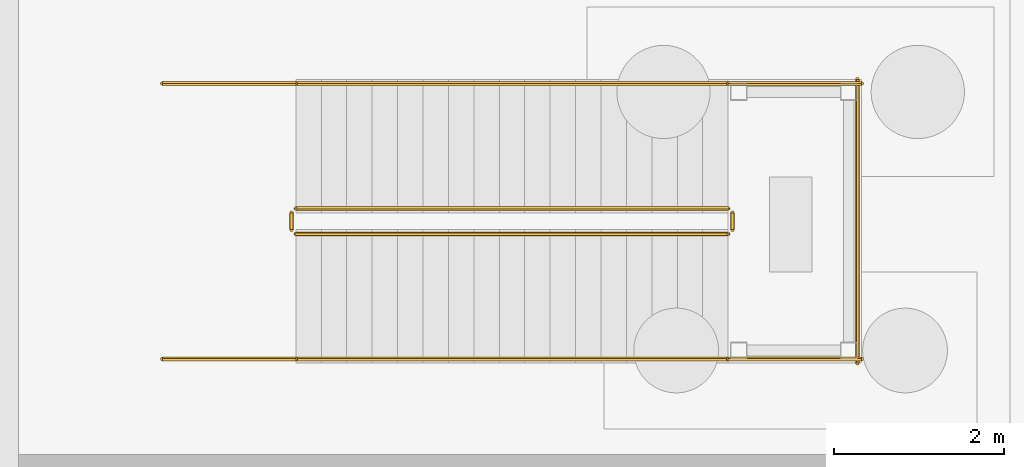
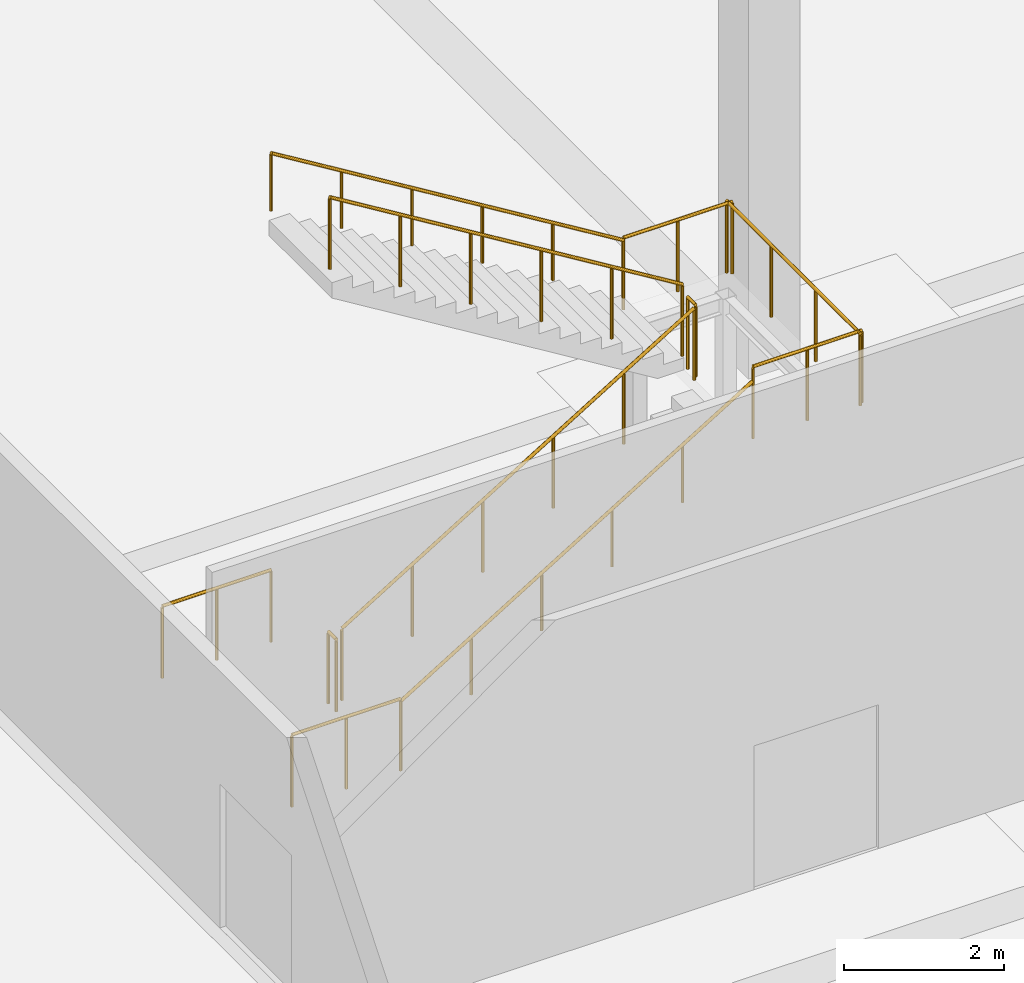
# One storey, part 103 of 117: 11 railings.
"""IFC4 building model written with IfcOpenShell, lengths in metres."""

from ifc_helpers import new_model, si_unit, direction, frame, origin, origin_2d, place, context, subcontext, project, spatial, circle, extrude, material, type_object, element, save


model = new_model("IFC4")

# Units and contexts
model_context = context("Model", 3, precision=1e-05, world=origin(), true_north=direction((0.0, 1.0)))
body_context = subcontext(model_context, "Body", "Model", "MODEL_VIEW")
ifc_project = project(units=[si_unit("LENGTHUNIT", "METRE"), si_unit("AREAUNIT", "SQUARE_METRE"), si_unit("VOLUMEUNIT", "CUBIC_METRE"), si_unit("PLANEANGLEUNIT", "RADIAN"), si_unit("MASSUNIT", "GRAM", prefix="KILO")], contexts=[model_context])

# Site, building, storey
site_placement = place(None, origin())
site = spatial("IfcSite", under=ifc_project, at=site_placement, CompositionType="ELEMENT")
building_placement = place(site_placement, origin())
building = spatial("IfcBuilding", under=site, at=building_placement, Name="Kamomehara Wholesale Market", CompositionType="ELEMENT")
storey_placement = place(building_placement, origin())
storey = spatial("IfcBuildingStorey", under=building, at=storey_placement, Name="L00", CompositionType="ELEMENT", Elevation=0.0)

# Railings
ifc_material_1 = material(Name="Steel SN400B", Category="steel")
railing_type_1 = type_object("IfcRailingType", Name="RAL-HND-900", PredefinedType="HANDRAIL", material=ifc_material_1)
railing_1_placement = place(storey_placement, frame((63.574951171875, 42.39990234375, 0.183349609375)))
element("IfcRailing", 1, at=railing_1_placement, inside=storey, type_object=railing_type_1, Name="L00 ST-16 stair handrail 1", PredefinedType="HANDRAIL", context=body_context, shape_type="SweptSolid", body=[
    extrude(circle(Radius=0.02392578125, at=origin_2d()), frame((0.0, 0.0, 0.8759765625), z_axis=(0.853283853024, 0.0, 0.521446705012), x_axis=(0.0, 1.0, 0.0)), (0.0, 0.0, 1.0), 5.97705078125),
    extrude(circle(Radius=0.02099609375, at=origin_2d()), origin(), (0.0, 0.0, 1.0), 0.851806640625),
    extrude(circle(Radius=0.02099609375, at=origin_2d()), frame((1.02001953125, 0.0, 0.623291015625)), (0.0, 0.0, 1.0), 0.851806640625),
    extrude(circle(Radius=0.02099609375, at=origin_2d()), frame((2.0400390625, 0.0, 1.24658203125)), (0.0, 0.0, 1.0), 0.851806640625),
    extrude(circle(Radius=0.02099609375, at=origin_2d()), frame((3.06005859375, 0.0, 1.8701171875)), (0.0, 0.0, 1.0), 0.851806640625),
    extrude(circle(Radius=0.02099609375, at=origin_2d()), frame((4.080078125, 0.0, 2.493408203125)), (0.0, 0.0, 1.0), 0.851806640625),
    extrude(circle(Radius=0.02099609375, at=origin_2d()), frame((5.10009765625, 0.0, 3.11669921875)), (0.0, 0.0, 1.0), 0.851806640625),
])
railing_2_placement = place(storey_placement, frame((68.675048828125, 45.64990234375, 3.4833984375)))
element("IfcRailing", 2, at=railing_2_placement, inside=storey, type_object=railing_type_1, Name="L00 ST-16 stair handrail 2", PredefinedType="HANDRAIL", context=body_context, shape_type="SweptSolid", body=[
    extrude(circle(Radius=0.02392578125, at=origin_2d()), frame((0.0, 0.0, 0.8759765625), z_axis=(-0.853283853024, 0.0, 0.521446705012), x_axis=(0.0, -1.0, 0.0)), (0.0, 0.0, 1.0), 5.97705078125),
    extrude(circle(Radius=0.02099609375, at=origin_2d()), origin(), (0.0, 0.0, 1.0), 0.851806640625),
    extrude(circle(Radius=0.02099609375, at=origin_2d()), frame((-1.02001953125, 0.0, 0.623291015625)), (0.0, 0.0, 1.0), 0.851806640625),
    extrude(circle(Radius=0.02099609375, at=origin_2d()), frame((-2.0400390625, 0.0, 1.24658203125)), (0.0, 0.0, 1.0), 0.851806640625),
    extrude(circle(Radius=0.02099609375, at=origin_2d()), frame((-3.06005859375, 0.0, 1.8701171875)), (0.0, 0.0, 1.0), 0.851806640625),
    extrude(circle(Radius=0.02099609375, at=origin_2d()), frame((-4.080078125, 0.0, 2.493408203125)), (0.0, 0.0, 1.0), 0.851806640625),
    extrude(circle(Radius=0.02099609375, at=origin_2d()), frame((-5.10009765625, 0.0, 3.11669921875)), (0.0, 0.0, 1.0), 0.851806640625),
])
ifc_material_2 = material(Name="Steel SN400B", Category="steel")
railing_type_2 = type_object("IfcRailingType", Name="RAL-INT-1100", PredefinedType="BALUSTRADE", material=ifc_material_2)
railing_3_placement = place(storey_placement, frame((63.574951171875, 43.875, 0.183349609375)))
element("IfcRailing", 3, at=railing_3_placement, inside=storey, type_object=railing_type_2, Name="L00 ST-16 stair guard 1", PredefinedType="BALUSTRADE", context=body_context, shape_type="SweptSolid", body=[
    extrude(circle(Radius=0.02392578125, at=origin_2d()), frame((0.0, 0.0, 1.09619140625), z_axis=(0.853283853024, 0.0, 0.521446705012), x_axis=(0.0, 1.0, 0.0)), (0.0, 0.0, 1.0), 5.97705078125),
    extrude(circle(Radius=0.02099609375, at=origin_2d()), origin(), (0.0, 0.0, 1.0), 1.072021484375),
    extrude(circle(Radius=0.02099609375, at=origin_2d()), frame((1.02001953125, 0.0, 0.623291015625)), (0.0, 0.0, 1.0), 1.072021484375),
    extrude(circle(Radius=0.02099609375, at=origin_2d()), frame((2.0400390625, 0.0, 1.24658203125)), (0.0, 0.0, 1.0), 1.072021484375),
    extrude(circle(Radius=0.02099609375, at=origin_2d()), frame((3.06005859375, 0.0, 1.8701171875)), (0.0, 0.0, 1.0), 1.072021484375),
    extrude(circle(Radius=0.02099609375, at=origin_2d()), frame((4.080078125, 0.0, 2.493408203125)), (0.0, 0.0, 1.0), 1.072021484375),
    extrude(circle(Radius=0.02099609375, at=origin_2d()), frame((5.10009765625, 0.0, 3.11669921875)), (0.0, 0.0, 1.0), 1.072021484375),
])
railing_4_placement = place(storey_placement, frame((68.72509765625, 43.925048828125, 3.300048828125)))
element("IfcRailing", 4, at=railing_4_placement, inside=storey, type_object=railing_type_2, Name="L00 ST-16 stair guard 2", PredefinedType="BALUSTRADE", context=body_context, shape_type="SweptSolid", body=[
    extrude(circle(Radius=0.02392578125, at=origin_2d()), frame((0.0, 0.0, 1.09619140625), z_axis=(0.0, 1.0, 0.0), x_axis=(-1.0, 0.0, 0.0)), (0.0, 0.0, 1.0), 0.199951171875),
    extrude(circle(Radius=0.02099609375, at=origin_2d()), origin(), (0.0, 0.0, 1.0), 1.072021484375),
    extrude(circle(Radius=0.02099609375, at=origin_2d()), frame((0.0, 0.199951171875, 0.0)), (0.0, 0.0, 1.0), 1.072021484375),
])
for number, where, name in (
    (5, (68.675048828125, 42.39990234375, 3.300048828125), "L00 ST-16 stair guard 3"),
    (6, (68.675048828125, 45.64990234375, 3.300048828125), "L00 ST-16 stair guard 4"),
):
    element("IfcRailing", number, at=place(storey_placement, frame(where)), inside=storey, type_object=railing_type_2, Name=name, PredefinedType="BALUSTRADE", context=body_context, shape_type="SweptSolid", body=[
        extrude(circle(Radius=0.02392578125, at=origin_2d()), frame((0.0, 0.0, 1.09619140625), z_axis=(1.0, 0.0, 0.0), x_axis=(0.0, 1.0, 0.0)), (0.0, 0.0, 1.0), 1.574951171875),
        extrude(circle(Radius=0.02099609375, at=origin_2d()), origin(), (0.0, 0.0, 1.0), 1.072021484375),
        extrude(circle(Radius=0.02099609375, at=origin_2d()), frame((0.78759765625, 0.0, 0.0)), (0.0, 0.0, 1.0), 1.072021484375),
        extrude(circle(Radius=0.02099609375, at=origin_2d()), frame((1.574951171875, 0.0, 0.0)), (0.0, 0.0, 1.0), 1.072021484375),
    ])
railing_5_placement = place(storey_placement, frame((70.199951171875, 42.35009765625, 3.300048828125)))
element("IfcRailing", 7, at=railing_5_placement, inside=storey, type_object=railing_type_2, Name="L00 ST-16 stair guard 5", PredefinedType="BALUSTRADE", context=body_context, shape_type="SweptSolid", body=[
    extrude(circle(Radius=0.02392578125, at=origin_2d()), frame((0.0, 0.0, 1.09619140625), z_axis=(0.0, 1.0, 0.0), x_axis=(-1.0, 0.0, 0.0)), (0.0, 0.0, 1.0), 3.349853515625),
    extrude(circle(Radius=0.02099609375, at=origin_2d()), origin(), (0.0, 0.0, 1.0), 1.072021484375),
    extrude(circle(Radius=0.02099609375, at=origin_2d()), frame((0.0, 1.11669921875, 0.0)), (0.0, 0.0, 1.0), 1.072021484375),
    extrude(circle(Radius=0.02099609375, at=origin_2d()), frame((0.0, 2.233154296875, 0.0)), (0.0, 0.0, 1.0), 1.072021484375),
    extrude(circle(Radius=0.02099609375, at=origin_2d()), frame((0.0, 3.349853515625, 0.0)), (0.0, 0.0, 1.0), 1.072021484375),
])
railing_6_placement = place(storey_placement, frame((68.675048828125, 44.175048828125, 3.4833984375)))
element("IfcRailing", 8, at=railing_6_placement, inside=storey, type_object=railing_type_2, Name="L00 ST-16 stair guard 6", PredefinedType="BALUSTRADE", context=body_context, shape_type="SweptSolid", body=[
    extrude(circle(Radius=0.02392578125, at=origin_2d()), frame((0.0, 0.0, 1.09619140625), z_axis=(-0.853283853024, 0.0, 0.521446705012), x_axis=(0.0, -1.0, 0.0)), (0.0, 0.0, 1.0), 5.97705078125),
    extrude(circle(Radius=0.02099609375, at=origin_2d()), origin(), (0.0, 0.0, 1.0), 1.072021484375),
    extrude(circle(Radius=0.02099609375, at=origin_2d()), frame((-1.02001953125, 0.0, 0.623291015625)), (0.0, 0.0, 1.0), 1.072021484375),
    extrude(circle(Radius=0.02099609375, at=origin_2d()), frame((-2.0400390625, 0.0, 1.24658203125)), (0.0, 0.0, 1.0), 1.072021484375),
    extrude(circle(Radius=0.02099609375, at=origin_2d()), frame((-3.06005859375, 0.0, 1.8701171875)), (0.0, 0.0, 1.0), 1.072021484375),
    extrude(circle(Radius=0.02099609375, at=origin_2d()), frame((-4.080078125, 0.0, 2.493408203125)), (0.0, 0.0, 1.0), 1.072021484375),
    extrude(circle(Radius=0.02099609375, at=origin_2d()), frame((-5.10009765625, 0.0, 3.11669921875)), (0.0, 0.0, 1.0), 1.072021484375),
])
railing_7_placement = place(storey_placement, frame((63.52490234375, 43.925048828125, 0.0)))
element("IfcRailing", 9, at=railing_7_placement, inside=storey, type_object=railing_type_2, Name="L00 ST-16 stair guard 7", PredefinedType="BALUSTRADE", context=body_context, shape_type="SweptSolid", body=[
    extrude(circle(Radius=0.02392578125, at=origin_2d()), frame((0.0, 0.0, 1.09619140625), z_axis=(0.0, 1.0, 0.0), x_axis=(-1.0, 0.0, 0.0)), (0.0, 0.0, 1.0), 0.199951171875),
    extrude(circle(Radius=0.02099609375, at=origin_2d()), origin(), (0.0, 0.0, 1.0), 1.072021484375),
    extrude(circle(Radius=0.02099609375, at=origin_2d()), frame((0.0, 0.199951171875, 0.0)), (0.0, 0.0, 1.0), 1.072021484375),
])
for number, where, name in (
    (10, (62.0, 42.39990234375, 0.0), "L00 ST-16 stair guard 8"),
    (11, (62.0, 45.64990234375, 0.0), "L00 ST-16 stair guard 9"),
):
    element("IfcRailing", number, at=place(storey_placement, frame(where)), inside=storey, type_object=railing_type_2, Name=name, PredefinedType="BALUSTRADE", context=body_context, shape_type="SweptSolid", body=[
        extrude(circle(Radius=0.02392578125, at=origin_2d()), frame((0.0, 0.0, 1.09619140625), z_axis=(1.0, 0.0, 0.0), x_axis=(0.0, 1.0, 0.0)), (0.0, 0.0, 1.0), 1.574951171875),
        extrude(circle(Radius=0.02099609375, at=origin_2d()), origin(), (0.0, 0.0, 1.0), 1.072021484375),
        extrude(circle(Radius=0.02099609375, at=origin_2d()), frame((0.78759765625, 0.0, 0.0)), (0.0, 0.0, 1.0), 1.072021484375),
        extrude(circle(Radius=0.02099609375, at=origin_2d()), frame((1.574951171875, 0.0, 0.0)), (0.0, 0.0, 1.0), 1.072021484375),
    ])

save(model, "model.ifc")
